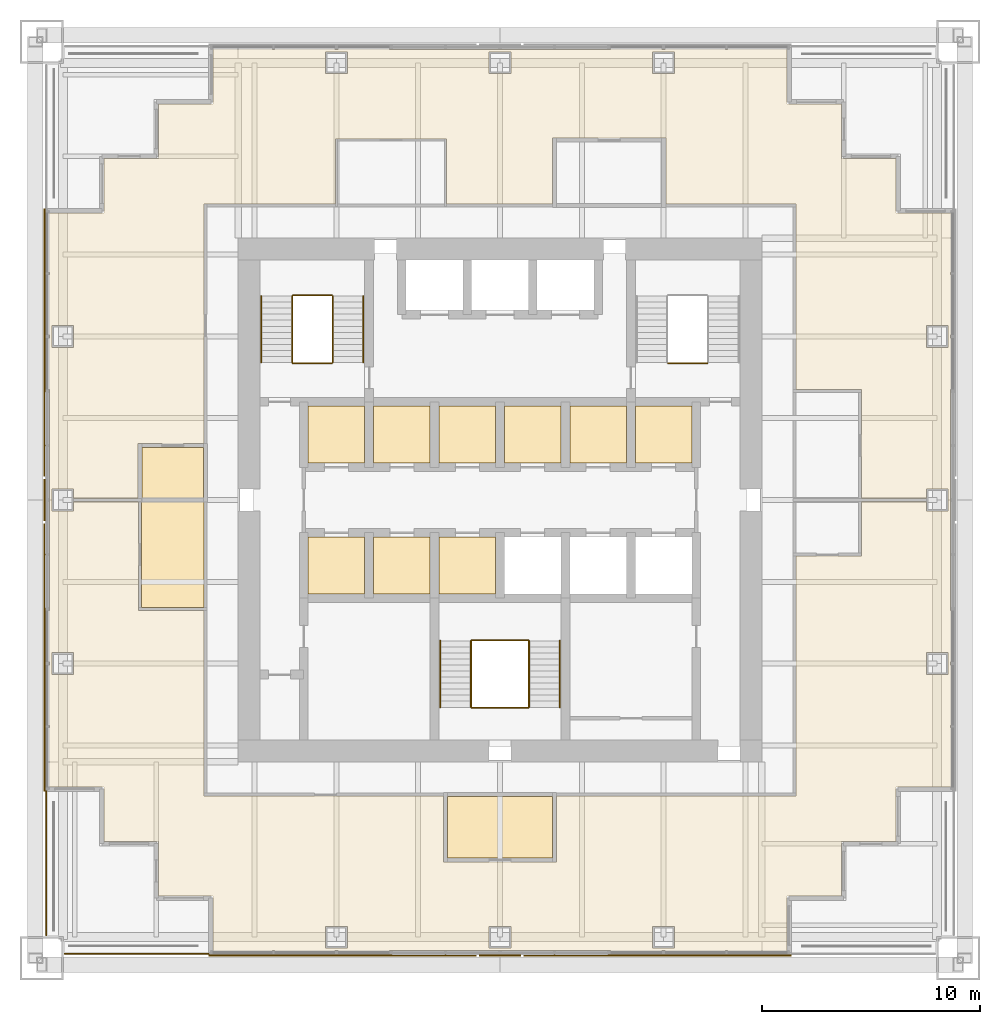
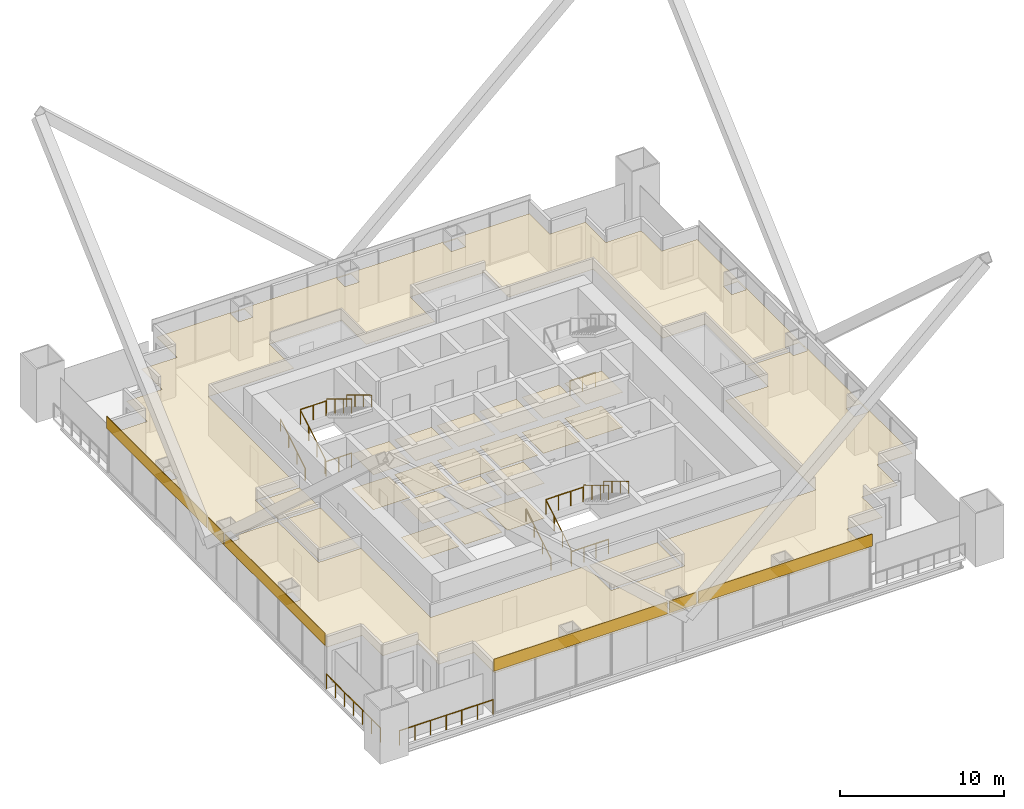
# One storey, part 18 of 19: 29 coverings, 15 railings.
"""IFC4 building model written with IfcOpenShell, lengths in metres."""

from ifc_helpers import new_model, si_unit, direction, frame, origin, origin_2d, place, context, subcontext, project, spatial, polyline, rectangle, circle, outline, extrude, material, layer, layer_set, type_object, element, save


model = new_model("IFC4")

# Units and contexts
model_context = context("Model", 3, precision=1e-05, world=origin(), true_north=direction((0.0, 1.0)))
body_context = subcontext(model_context, "Body", "Model", "MODEL_VIEW")
ifc_project = project(units=[si_unit("LENGTHUNIT", "METRE"), si_unit("AREAUNIT", "SQUARE_METRE"), si_unit("VOLUMEUNIT", "CUBIC_METRE"), si_unit("PLANEANGLEUNIT", "RADIAN"), si_unit("MASSUNIT", "GRAM", prefix="KILO")], contexts=[model_context])

# Site, building, storey
site_placement = place(None, origin())
site = spatial("IfcSite", under=ifc_project, at=site_placement, CompositionType="ELEMENT")
building_placement = place(site_placement, origin())
building = spatial("IfcBuilding", under=site, at=building_placement, Name="Tarangal Relay Tower", CompositionType="ELEMENT")
storey_placement = place(building_placement, frame((0.0, 0.0, 275.89990234375)))
storey = spatial("IfcBuildingStorey", under=building, at=storey_placement, Name="L60", CompositionType="ELEMENT", Elevation=275.89990234375)

# Coverings
ifc_material_1 = material(Name="Anti-static vinyl flooring", Category="plastic")
ifc_layer_1 = layer(ifc_material_1, 0.010009765625)
ifc_layer_set_1 = layer_set([ifc_layer_1], Name="Anti-static vinyl floor")
covering_type_1 = type_object("IfcCoveringType", Name="Anti-static vinyl floor", PredefinedType="FLOORING", material=ifc_layer_set_1)
covering_1_placement = place(storey_placement, origin())
element("IfcCovering", 1, at=covering_1_placement, inside=storey, type_object=covering_type_1, Name="Floor finish FL1 L60-D1", PredefinedType="FLOORING", context=body_context, shape_type="SweptSolid", body=[
    extrude(outline(polyline([(-8.800048828125, 1.699951171875), (-6.199951171875, 1.699951171875), (-6.199951171875, 4.300048828125), (-8.800048828125, 4.300048828125), (-8.800048828125, 1.699951171875)])), origin(), (0.0, 0.0, 1.0), 0.010009765625),
])
covering_2_placement = place(storey_placement, origin())
element("IfcCovering", 2, at=covering_2_placement, inside=storey, type_object=covering_type_1, Name="Floor finish FL1 L60-D2", PredefinedType="FLOORING", context=body_context, shape_type="SweptSolid", body=[
    extrude(outline(polyline([(-5.800048828125, 1.699951171875), (-3.199951171875, 1.699951171875), (-3.199951171875, 4.300048828125), (-5.800048828125, 4.300048828125), (-5.800048828125, 1.699951171875)])), origin(), (0.0, 0.0, 1.0), 0.010009765625),
])
covering_3_placement = place(storey_placement, origin())
element("IfcCovering", 3, at=covering_3_placement, inside=storey, type_object=covering_type_1, Name="Floor finish FL1 L60-D3", PredefinedType="FLOORING", context=body_context, shape_type="SweptSolid", body=[
    extrude(outline(polyline([(-2.800048828125, 1.699951171875), (-0.199951171875, 1.699951171875), (-0.199951171875, 4.300048828125), (-2.800048828125, 4.300048828125), (-2.800048828125, 1.699951171875)])), origin(), (0.0, 0.0, 1.0), 0.010009765625),
])
covering_4_placement = place(storey_placement, origin())
element("IfcCovering", 4, at=covering_4_placement, inside=storey, type_object=covering_type_1, Name="Floor finish FL1 L60-T1", PredefinedType="FLOORING", context=body_context, shape_type="SweptSolid", body=[
    extrude(outline(polyline([(0.199951171875, 1.699951171875), (2.800048828125, 1.699951171875), (2.800048828125, 4.300048828125), (0.199951171875, 4.300048828125), (0.199951171875, 1.699951171875)])), origin(), (0.0, 0.0, 1.0), 0.010009765625),
])
covering_5_placement = place(storey_placement, origin())
element("IfcCovering", 5, at=covering_5_placement, inside=storey, type_object=covering_type_1, Name="Floor finish FL1 L60-T2", PredefinedType="FLOORING", context=body_context, shape_type="SweptSolid", body=[
    extrude(outline(polyline([(3.199951171875, 1.699951171875), (5.800048828125, 1.699951171875), (5.800048828125, 4.300048828125), (3.199951171875, 4.300048828125), (3.199951171875, 1.699951171875)])), origin(), (0.0, 0.0, 1.0), 0.010009765625),
])
covering_6_placement = place(storey_placement, origin())
element("IfcCovering", 6, at=covering_6_placement, inside=storey, type_object=covering_type_1, Name="Floor finish FL1 L60-T3", PredefinedType="FLOORING", context=body_context, shape_type="SweptSolid", body=[
    extrude(outline(polyline([(6.199951171875, 1.699951171875), (8.800048828125, 1.699951171875), (8.800048828125, 4.300048828125), (6.199951171875, 4.300048828125), (6.199951171875, 1.699951171875)])), origin(), (0.0, 0.0, 1.0), 0.010009765625),
])
covering_7_placement = place(storey_placement, origin())
element("IfcCovering", 7, at=covering_7_placement, inside=storey, type_object=covering_type_1, Name="Floor finish FL1 L60-S1", PredefinedType="FLOORING", context=body_context, shape_type="SweptSolid", body=[
    extrude(outline(polyline([(-8.800048828125, -4.300048828125), (-6.199951171875, -4.300048828125), (-6.199951171875, -1.699951171875), (-8.800048828125, -1.699951171875), (-8.800048828125, -4.300048828125)])), origin(), (0.0, 0.0, 1.0), 0.010009765625),
])
covering_8_placement = place(storey_placement, origin())
element("IfcCovering", 8, at=covering_8_placement, inside=storey, type_object=covering_type_1, Name="Floor finish FL1 L60-S2", PredefinedType="FLOORING", context=body_context, shape_type="SweptSolid", body=[
    extrude(outline(polyline([(-5.800048828125, -4.300048828125), (-3.199951171875, -4.300048828125), (-3.199951171875, -1.699951171875), (-5.800048828125, -1.699951171875), (-5.800048828125, -4.300048828125)])), origin(), (0.0, 0.0, 1.0), 0.010009765625),
])
covering_9_placement = place(storey_placement, origin())
element("IfcCovering", 9, at=covering_9_placement, inside=storey, type_object=covering_type_1, Name="Floor finish FL1 L60-S3", PredefinedType="FLOORING", context=body_context, shape_type="SweptSolid", body=[
    extrude(outline(polyline([(-2.800048828125, -4.300048828125), (-0.199951171875, -4.300048828125), (-0.199951171875, -1.699951171875), (-2.800048828125, -1.699951171875), (-2.800048828125, -4.300048828125)])), origin(), (0.0, 0.0, 1.0), 0.010009765625),
])
ifc_material_2 = material(Name="Black anodised aluminium cladding", Category="aluminium")
ifc_layer_2 = layer(ifc_material_2, 0.050048828125)
ifc_layer_set_2 = layer_set([ifc_layer_2], Name="Black metal spandrel band")
covering_type_2 = type_object("IfcCoveringType", Name="Black metal spandrel band", PredefinedType="CLADDING", material=ifc_layer_set_2)
covering_10_placement = place(storey_placement, frame((7.22119140625, -20.875, 3.250244140625), z_axis=(0.0, 0.0, 1.0), x_axis=(-1.0, 0.0, 0.0)))
element("IfcCovering", 10, at=covering_10_placement, inside=storey, type_object=covering_type_2, Name="Spandrel band SB1 S L60", PredefinedType="CLADDING", context=body_context, shape_type="SweptSolid", body=[
    extrude(rectangle(XDim=12.257568359375, YDim=0.050048828125, at=origin_2d()), origin(), (0.0, 0.0, 1.0), 0.89990234375),
])
covering_11_placement = place(storey_placement, frame((0.0, -20.875, 3.250244140625), z_axis=(0.0, 0.0, 1.0), x_axis=(-1.0, 0.0, 0.0)))
element("IfcCovering", 11, at=covering_11_placement, inside=storey, type_object=covering_type_2, Name="Spandrel band SB1 S L60", PredefinedType="CLADDING", context=body_context, shape_type="SweptSolid", body=[
    extrude(rectangle(XDim=1.90478515625, YDim=0.050048828125, at=origin_2d()), origin(), (0.0, 0.0, 1.0), 0.89990234375),
])
for number, where, z_axis, x_axis, name in (
    (12, (-7.22119140625, -20.875, 3.250244140625), (0.0, 0.0, 1.0), (-1.0, 0.0, 0.0), "Spandrel band SB1 S L60"),
    (13, (-20.875, -7.22119140625, 3.250244140625), (0.0, 0.0, 1.0), (0.0, 1.0, 0.0), "Spandrel band SB1 W L60"),
):
    element("IfcCovering", number, at=place(storey_placement, frame(where, z_axis=z_axis, x_axis=x_axis)), inside=storey, type_object=covering_type_2, Name=name, PredefinedType="CLADDING", context=body_context, shape_type="SweptSolid", body=[
        extrude(rectangle(XDim=12.257568359375, YDim=0.050048828125, at=origin_2d()), origin(), (0.0, 0.0, 1.0), 0.89990234375),
    ])
covering_12_placement = place(storey_placement, frame((-20.875, 0.0, 3.250244140625), z_axis=(0.0, 0.0, 1.0), x_axis=(0.0, 1.0, 0.0)))
element("IfcCovering", 14, at=covering_12_placement, inside=storey, type_object=covering_type_2, Name="Spandrel band SB1 W L60", PredefinedType="CLADDING", context=body_context, shape_type="SweptSolid", body=[
    extrude(rectangle(XDim=1.90478515625, YDim=0.050048828125, at=origin_2d()), origin(), (0.0, 0.0, 1.0), 0.89990234375),
])
covering_13_placement = place(storey_placement, frame((-20.875, 7.22119140625, 3.250244140625), z_axis=(0.0, 0.0, 1.0), x_axis=(0.0, 1.0, 0.0)))
element("IfcCovering", 15, at=covering_13_placement, inside=storey, type_object=covering_type_2, Name="Spandrel band SB1 W L60", PredefinedType="CLADDING", context=body_context, shape_type="SweptSolid", body=[
    extrude(rectangle(XDim=12.257568359375, YDim=0.050048828125, at=origin_2d()), origin(), (0.0, 0.0, 1.0), 0.89990234375),
])

# Railings
ifc_material_3 = material(Name="Steel guard, black finish", Category="steel")
railing_type_1 = type_object("IfcRailingType", Name="Stair guard 1100", PredefinedType="GUARDRAIL", material=ifc_material_3)
railing_1_placement = place(storey_placement, frame((-9.530029296875, 6.300048828125, 0.166748046875)))
element("IfcRailing", 16, at=railing_1_placement, inside=storey, type_object=railing_type_1, Name="Stair ST-A guard GR1 L60 flight 1", PredefinedType="GUARDRAIL", context=body_context, shape_type="SweptSolid", body=[
    extrude(circle(Radius=0.02392578125, at=origin_2d()), frame((0.0, 0.0, 1.076171875), z_axis=(0.0, 0.85685617095, 0.515555527858), x_axis=(-1.0, 0.0, 0.0)), (0.0, 0.0, 1.0), 3.555908203125),
    extrude(circle(Radius=0.02099609375, at=origin_2d()), origin(), (0.0, 0.0, 1.0), 1.052001953125),
    extrude(circle(Radius=0.02099609375, at=origin_2d()), frame((0.0, 1.015625, 0.611083984375)), (0.0, 0.0, 1.0), 1.052001953125),
    extrude(circle(Radius=0.02099609375, at=origin_2d()), frame((0.0, 2.03125, 1.22216796875)), (0.0, 0.0, 1.0), 1.052001953125),
    extrude(circle(Radius=0.02099609375, at=origin_2d()), frame((0.0, 3.046875, 1.833251953125)), (0.0, 0.0, 1.0), 1.052001953125),
])
railing_2_placement = place(storey_placement, frame((-7.669921875, 9.346923828125, 2.166748046875)))
element("IfcRailing", 17, at=railing_2_placement, inside=storey, type_object=railing_type_1, Name="Stair ST-A guard GR1 L60 flight 2", PredefinedType="GUARDRAIL", context=body_context, shape_type="SweptSolid", body=[
    extrude(circle(Radius=0.02392578125, at=origin_2d()), frame((0.0, 0.0, 1.076171875), z_axis=(0.0, -0.85685617095, 0.515555527858), x_axis=(1.0, 0.0, 0.0)), (0.0, 0.0, 1.0), 3.555908203125),
    extrude(circle(Radius=0.02099609375, at=origin_2d()), origin(), (0.0, 0.0, 1.0), 1.052001953125),
    extrude(circle(Radius=0.02099609375, at=origin_2d()), frame((0.0, -1.015625, 0.611083984375)), (0.0, 0.0, 1.0), 1.052001953125),
    extrude(circle(Radius=0.02099609375, at=origin_2d()), frame((0.0, -2.03125, 1.22216796875)), (0.0, 0.0, 1.0), 1.052001953125),
    extrude(circle(Radius=0.02099609375, at=origin_2d()), frame((0.0, -3.046875, 1.833251953125)), (0.0, 0.0, 1.0), 1.052001953125),
])
for number, where, name in (
    (18, (-9.5, 6.27001953125, 0.0), "Stair ST-A landing guard GR1 L60"),
    (19, (-9.5, 9.376953125, 2.0), "Stair ST-A landing guard GR1 L60"),
    (20, (7.699951171875, 6.27001953125, 0.0), "Stair ST-B landing guard GR1 L60"),
):
    element("IfcRailing", number, at=place(storey_placement, frame(where)), inside=storey, type_object=railing_type_1, Name=name, PredefinedType="GUARDRAIL", context=body_context, shape_type="SweptSolid", body=[
        extrude(circle(Radius=0.02392578125, at=origin_2d()), frame((0.0, 0.0, 1.076171875), z_axis=(1.0, 0.0, 0.0), x_axis=(0.0, 1.0, 0.0)), (0.0, 0.0, 1.0), 1.800048828125),
        extrude(circle(Radius=0.02099609375, at=origin_2d()), origin(), (0.0, 0.0, 1.0), 1.052001953125),
        extrude(circle(Radius=0.02099609375, at=origin_2d()), frame((0.89990234375, 0.0, 0.0)), (0.0, 0.0, 1.0), 1.052001953125),
        extrude(circle(Radius=0.02099609375, at=origin_2d()), frame((1.800048828125, 0.0, 0.0)), (0.0, 0.0, 1.0), 1.052001953125),
    ])
railing_3_placement = place(storey_placement, frame((-1.330078125, -9.5, 0.166748046875)))
element("IfcRailing", 21, at=railing_3_placement, inside=storey, type_object=railing_type_1, Name="Stair ST-C guard GR1 L60 flight 1", PredefinedType="GUARDRAIL", context=body_context, shape_type="SweptSolid", body=[
    extrude(circle(Radius=0.02392578125, at=origin_2d()), frame((0.0, 0.0, 1.076171875), z_axis=(0.0, 0.856874418557, 0.515525199018), x_axis=(-1.0, 0.0, 0.0)), (0.0, 0.0, 1.0), 3.55615234375),
    extrude(circle(Radius=0.02099609375, at=origin_2d()), origin(), (0.0, 0.0, 1.0), 1.052001953125),
    extrude(circle(Radius=0.02099609375, at=origin_2d()), frame((0.0, 1.015625, 0.611083984375)), (0.0, 0.0, 1.0), 1.052001953125),
    extrude(circle(Radius=0.02099609375, at=origin_2d()), frame((0.0, 2.031494140625, 1.22216796875)), (0.0, 0.0, 1.0), 1.052001953125),
    extrude(circle(Radius=0.02099609375, at=origin_2d()), frame((0.0, 3.047119140625, 1.833251953125)), (0.0, 0.0, 1.0), 1.052001953125),
])
railing_4_placement = place(storey_placement, frame((1.330078125, -6.452880859375, 2.166748046875)))
element("IfcRailing", 22, at=railing_4_placement, inside=storey, type_object=railing_type_1, Name="Stair ST-C guard GR1 L60 flight 2", PredefinedType="GUARDRAIL", context=body_context, shape_type="SweptSolid", body=[
    extrude(circle(Radius=0.02392578125, at=origin_2d()), frame((0.0, 0.0, 1.076171875), z_axis=(0.0, -0.856874418557, 0.515525199018), x_axis=(1.0, 0.0, 0.0)), (0.0, 0.0, 1.0), 3.55615234375),
    extrude(circle(Radius=0.02099609375, at=origin_2d()), origin(), (0.0, 0.0, 1.0), 1.052001953125),
    extrude(circle(Radius=0.02099609375, at=origin_2d()), frame((0.0, -1.015625, 0.611083984375)), (0.0, 0.0, 1.0), 1.052001953125),
    extrude(circle(Radius=0.02099609375, at=origin_2d()), frame((0.0, -2.031494140625, 1.22216796875)), (0.0, 0.0, 1.0), 1.052001953125),
    extrude(circle(Radius=0.02099609375, at=origin_2d()), frame((0.0, -3.047119140625, 1.833251953125)), (0.0, 0.0, 1.0), 1.052001953125),
])
for number, where, name in (
    (23, (-1.300048828125, -9.530029296875, 0.0), "Stair ST-C landing guard GR1 L60"),
    (24, (-1.300048828125, -6.423095703125, 2.0), "Stair ST-C landing guard GR1 L60"),
):
    element("IfcRailing", number, at=place(storey_placement, frame(where)), inside=storey, type_object=railing_type_1, Name=name, PredefinedType="GUARDRAIL", context=body_context, shape_type="SweptSolid", body=[
        extrude(circle(Radius=0.02392578125, at=origin_2d()), frame((0.0, 0.0, 1.076171875), z_axis=(1.0, 0.0, 0.0), x_axis=(0.0, 1.0, 0.0)), (0.0, 0.0, 1.0), 2.60009765625),
        extrude(circle(Radius=0.02099609375, at=origin_2d()), origin(), (0.0, 0.0, 1.0), 1.052001953125),
        extrude(circle(Radius=0.02099609375, at=origin_2d()), frame((0.86669921875, 0.0, 0.0)), (0.0, 0.0, 1.0), 1.052001953125),
        extrude(circle(Radius=0.02099609375, at=origin_2d()), frame((1.7333984375, 0.0, 0.0)), (0.0, 0.0, 1.0), 1.052001953125),
        extrude(circle(Radius=0.02099609375, at=origin_2d()), frame((2.60009765625, 0.0, 0.0)), (0.0, 0.0, 1.0), 1.052001953125),
    ])
ifc_material_4 = material(Name="Steel handrail, black finish", Category="steel")
railing_type_2 = type_object("IfcRailingType", Name="Stair handrail 900", PredefinedType="HANDRAIL", material=ifc_material_4)
railing_5_placement = place(storey_placement, frame((-10.93994140625, 6.300048828125, 0.166748046875)))
element("IfcRailing", 25, at=railing_5_placement, inside=storey, type_object=railing_type_2, Name="Stair ST-A handrail HR1 L60 flight 1", PredefinedType="HANDRAIL", context=body_context, shape_type="SweptSolid", body=[
    extrude(circle(Radius=0.02392578125, at=origin_2d()), frame((0.0, 0.0, 0.8759765625), z_axis=(0.0, 0.85685617095, 0.515555527858), x_axis=(-1.0, 0.0, 0.0)), (0.0, 0.0, 1.0), 3.555908203125),
    extrude(circle(Radius=0.02099609375, at=origin_2d()), origin(), (0.0, 0.0, 1.0), 0.851806640625),
    extrude(circle(Radius=0.02099609375, at=origin_2d()), frame((0.0, 1.015625, 0.611083984375)), (0.0, 0.0, 1.0), 0.851806640625),
    extrude(circle(Radius=0.02099609375, at=origin_2d()), frame((0.0, 2.03125, 1.22216796875)), (0.0, 0.0, 1.0), 0.851806640625),
    extrude(circle(Radius=0.02099609375, at=origin_2d()), frame((0.0, 3.046875, 1.833251953125)), (0.0, 0.0, 1.0), 0.851806640625),
])
railing_6_placement = place(storey_placement, frame((-6.260009765625, 9.346923828125, 2.166748046875)))
element("IfcRailing", 26, at=railing_6_placement, inside=storey, type_object=railing_type_2, Name="Stair ST-A handrail HR1 L60 flight 2", PredefinedType="HANDRAIL", context=body_context, shape_type="SweptSolid", body=[
    extrude(circle(Radius=0.02392578125, at=origin_2d()), frame((0.0, 0.0, 0.8759765625), z_axis=(0.0, -0.85685617095, 0.515555527858), x_axis=(1.0, 0.0, 0.0)), (0.0, 0.0, 1.0), 3.555908203125),
    extrude(circle(Radius=0.02099609375, at=origin_2d()), origin(), (0.0, 0.0, 1.0), 0.851806640625),
    extrude(circle(Radius=0.02099609375, at=origin_2d()), frame((0.0, -1.015625, 0.611083984375)), (0.0, 0.0, 1.0), 0.851806640625),
    extrude(circle(Radius=0.02099609375, at=origin_2d()), frame((0.0, -2.03125, 1.22216796875)), (0.0, 0.0, 1.0), 0.851806640625),
    extrude(circle(Radius=0.02099609375, at=origin_2d()), frame((0.0, -3.046875, 1.833251953125)), (0.0, 0.0, 1.0), 0.851806640625),
])
railing_7_placement = place(storey_placement, frame((-2.739990234375, -9.5, 0.166748046875)))
element("IfcRailing", 27, at=railing_7_placement, inside=storey, type_object=railing_type_2, Name="Stair ST-C handrail HR1 L60 flight 1", PredefinedType="HANDRAIL", context=body_context, shape_type="SweptSolid", body=[
    extrude(circle(Radius=0.02392578125, at=origin_2d()), frame((0.0, 0.0, 0.8759765625), z_axis=(0.0, 0.856874418557, 0.515525199018), x_axis=(-1.0, 0.0, 0.0)), (0.0, 0.0, 1.0), 3.55615234375),
    extrude(circle(Radius=0.02099609375, at=origin_2d()), origin(), (0.0, 0.0, 1.0), 0.851806640625),
    extrude(circle(Radius=0.02099609375, at=origin_2d()), frame((0.0, 1.015625, 0.611083984375)), (0.0, 0.0, 1.0), 0.851806640625),
    extrude(circle(Radius=0.02099609375, at=origin_2d()), frame((0.0, 2.031494140625, 1.22216796875)), (0.0, 0.0, 1.0), 0.851806640625),
    extrude(circle(Radius=0.02099609375, at=origin_2d()), frame((0.0, 3.047119140625, 1.833251953125)), (0.0, 0.0, 1.0), 0.851806640625),
])
railing_8_placement = place(storey_placement, frame((2.739990234375, -6.452880859375, 2.166748046875)))
element("IfcRailing", 28, at=railing_8_placement, inside=storey, type_object=railing_type_2, Name="Stair ST-C handrail HR1 L60 flight 2", PredefinedType="HANDRAIL", context=body_context, shape_type="SweptSolid", body=[
    extrude(circle(Radius=0.02392578125, at=origin_2d()), frame((0.0, 0.0, 0.8759765625), z_axis=(0.0, -0.856874418557, 0.515525199018), x_axis=(1.0, 0.0, 0.0)), (0.0, 0.0, 1.0), 3.55615234375),
    extrude(circle(Radius=0.02099609375, at=origin_2d()), origin(), (0.0, 0.0, 1.0), 0.851806640625),
    extrude(circle(Radius=0.02099609375, at=origin_2d()), frame((0.0, -1.015625, 0.611083984375)), (0.0, 0.0, 1.0), 0.851806640625),
    extrude(circle(Radius=0.02099609375, at=origin_2d()), frame((0.0, -2.031494140625, 1.22216796875)), (0.0, 0.0, 1.0), 0.851806640625),
    extrude(circle(Radius=0.02099609375, at=origin_2d()), frame((0.0, -3.047119140625, 1.833251953125)), (0.0, 0.0, 1.0), 0.851806640625),
])

# Coverings
ifc_material_5 = material(Name="Mineral fibre ceiling tiles", Category="gypsum")
ifc_layer_3 = layer(ifc_material_5, 0.02001953125)
ifc_layer_set_3 = layer_set([ifc_layer_3], Name="Suspended ceiling")
covering_type_3 = type_object("IfcCoveringType", Name="Suspended ceiling", PredefinedType="CEILING", material=ifc_layer_set_3)
covering_14_placement = place(storey_placement, frame((0.0, 0.0, 2.60009765625)))
element("IfcCovering", 29, at=covering_14_placement, inside=storey, type_object=covering_type_3, Name="Suspended ceiling CL1 L60-D1", PredefinedType="CEILING", context=body_context, shape_type="SweptSolid", body=[
    extrude(outline(polyline([(-8.800048828125, 1.699951171875), (-6.199951171875, 1.699951171875), (-6.199951171875, 4.300048828125), (-8.800048828125, 4.300048828125), (-8.800048828125, 1.699951171875)])), origin(), (0.0, 0.0, 1.0), 0.02001953125),
])
covering_15_placement = place(storey_placement, frame((0.0, 0.0, 2.60009765625)))
element("IfcCovering", 30, at=covering_15_placement, inside=storey, type_object=covering_type_3, Name="Suspended ceiling CL1 L60-D2", PredefinedType="CEILING", context=body_context, shape_type="SweptSolid", body=[
    extrude(outline(polyline([(-5.800048828125, 1.699951171875), (-3.199951171875, 1.699951171875), (-3.199951171875, 4.300048828125), (-5.800048828125, 4.300048828125), (-5.800048828125, 1.699951171875)])), origin(), (0.0, 0.0, 1.0), 0.02001953125),
])
covering_16_placement = place(storey_placement, frame((0.0, 0.0, 2.60009765625)))
element("IfcCovering", 31, at=covering_16_placement, inside=storey, type_object=covering_type_3, Name="Suspended ceiling CL1 L60-D3", PredefinedType="CEILING", context=body_context, shape_type="SweptSolid", body=[
    extrude(outline(polyline([(-2.800048828125, 1.699951171875), (-0.199951171875, 1.699951171875), (-0.199951171875, 4.300048828125), (-2.800048828125, 4.300048828125), (-2.800048828125, 1.699951171875)])), origin(), (0.0, 0.0, 1.0), 0.02001953125),
])
covering_17_placement = place(storey_placement, frame((0.0, 0.0, 2.60009765625)))
element("IfcCovering", 32, at=covering_17_placement, inside=storey, type_object=covering_type_3, Name="Suspended ceiling CL1 L60-T1", PredefinedType="CEILING", context=body_context, shape_type="SweptSolid", body=[
    extrude(outline(polyline([(0.199951171875, 1.699951171875), (2.800048828125, 1.699951171875), (2.800048828125, 4.300048828125), (0.199951171875, 4.300048828125), (0.199951171875, 1.699951171875)])), origin(), (0.0, 0.0, 1.0), 0.02001953125),
])
covering_18_placement = place(storey_placement, frame((0.0, 0.0, 2.60009765625)))
element("IfcCovering", 33, at=covering_18_placement, inside=storey, type_object=covering_type_3, Name="Suspended ceiling CL1 L60-T2", PredefinedType="CEILING", context=body_context, shape_type="SweptSolid", body=[
    extrude(outline(polyline([(3.199951171875, 1.699951171875), (5.800048828125, 1.699951171875), (5.800048828125, 4.300048828125), (3.199951171875, 4.300048828125), (3.199951171875, 1.699951171875)])), origin(), (0.0, 0.0, 1.0), 0.02001953125),
])
covering_19_placement = place(storey_placement, frame((0.0, 0.0, 2.60009765625)))
element("IfcCovering", 34, at=covering_19_placement, inside=storey, type_object=covering_type_3, Name="Suspended ceiling CL1 L60-T3", PredefinedType="CEILING", context=body_context, shape_type="SweptSolid", body=[
    extrude(outline(polyline([(6.199951171875, 1.699951171875), (8.800048828125, 1.699951171875), (8.800048828125, 4.300048828125), (6.199951171875, 4.300048828125), (6.199951171875, 1.699951171875)])), origin(), (0.0, 0.0, 1.0), 0.02001953125),
])
covering_20_placement = place(storey_placement, frame((0.0, 0.0, 2.60009765625)))
element("IfcCovering", 35, at=covering_20_placement, inside=storey, type_object=covering_type_3, Name="Suspended ceiling CL1 L60-S1", PredefinedType="CEILING", context=body_context, shape_type="SweptSolid", body=[
    extrude(outline(polyline([(-8.800048828125, -4.300048828125), (-6.199951171875, -4.300048828125), (-6.199951171875, -1.699951171875), (-8.800048828125, -1.699951171875), (-8.800048828125, -4.300048828125)])), origin(), (0.0, 0.0, 1.0), 0.02001953125),
])
covering_21_placement = place(storey_placement, frame((0.0, 0.0, 2.60009765625)))
element("IfcCovering", 36, at=covering_21_placement, inside=storey, type_object=covering_type_3, Name="Suspended ceiling CL1 L60-S2", PredefinedType="CEILING", context=body_context, shape_type="SweptSolid", body=[
    extrude(outline(polyline([(-5.800048828125, -4.300048828125), (-3.199951171875, -4.300048828125), (-3.199951171875, -1.699951171875), (-5.800048828125, -1.699951171875), (-5.800048828125, -4.300048828125)])), origin(), (0.0, 0.0, 1.0), 0.02001953125),
])
covering_22_placement = place(storey_placement, frame((0.0, 0.0, 2.60009765625)))
element("IfcCovering", 37, at=covering_22_placement, inside=storey, type_object=covering_type_3, Name="Suspended ceiling CL1 L60-S3", PredefinedType="CEILING", context=body_context, shape_type="SweptSolid", body=[
    extrude(outline(polyline([(-2.800048828125, -4.300048828125), (-0.199951171875, -4.300048828125), (-0.199951171875, -1.699951171875), (-2.800048828125, -1.699951171875), (-2.800048828125, -4.300048828125)])), origin(), (0.0, 0.0, 1.0), 0.02001953125),
])
covering_23_placement = place(storey_placement, frame((0.0, 0.0, 2.900146484375)))
element("IfcCovering", 38, at=covering_23_placement, inside=storey, type_object=covering_type_3, Name="Suspended ceiling CL1 L60-06", PredefinedType="CEILING", context=body_context, shape_type="SweptSolid", body=[
    extrude(outline(polyline([(-2.39990234375, -16.39990234375), (2.39990234375, -16.39990234375), (2.39990234375, -13.60009765625), (-2.39990234375, -13.60009765625), (-2.39990234375, -16.39990234375)])), origin(), (0.0, 0.0, 1.0), 0.02001953125),
])
covering_24_placement = place(storey_placement, frame((0.0, 0.0, 2.900146484375)))
element("IfcCovering", 39, at=covering_24_placement, inside=storey, type_object=covering_type_3, Name="Suspended ceiling CL1 L60-07", PredefinedType="CEILING", context=body_context, shape_type="SweptSolid", body=[
    extrude(outline(polyline([(-16.425048828125, -4.925048828125), (-13.574951171875, -4.925048828125), (-13.574951171875, -0.10009765625), (-16.425048828125, -0.10009765625), (-16.425048828125, -4.925048828125)])), origin(), (0.0, 0.0, 1.0), 0.02001953125),
])
covering_25_placement = place(storey_placement, frame((0.0, 0.0, 2.900146484375)))
element("IfcCovering", 40, at=covering_25_placement, inside=storey, type_object=covering_type_3, Name="Suspended ceiling CL1 L60-08", PredefinedType="CEILING", context=body_context, shape_type="SweptSolid", body=[
    extrude(outline(polyline([(-13.60009765625, 2.39990234375), (-16.39990234375, 2.39990234375), (-16.39990234375, 0.10009765625), (-13.60009765625, 0.10009765625), (-13.60009765625, 2.39990234375)])), origin(), (0.0, 0.0, 1.0), 0.02001953125),
])
covering_26_placement = place(storey_placement, frame((0.0, 0.0, 2.900146484375)))
element("IfcCovering", 41, at=covering_26_placement, inside=storey, type_object=covering_type_3, Name="Suspended ceiling CL1 L60-09", PredefinedType="CEILING", context=body_context, shape_type="SweptSolid", body=[
    extrude(outline(polyline([(-20.64990234375, 0.0), (-20.5400390625, 0.0), (-20.5400390625, 0.5), (-19.5400390625, 0.5), (-19.5400390625, 0.074951171875), (-16.60009765625, 0.074951171875), (-16.60009765625, 2.60009765625), (-13.574951171875, 2.60009765625), (-13.574951171875, 13.574951171875), (-7.550048828125, 13.574951171875), (-7.550048828125, 16.550048828125), (-2.449951171875, 16.550048828125), (-2.449951171875, 13.574951171875), (2.39990234375, 13.574951171875), (2.39990234375, 16.60009765625), (7.60009765625, 16.60009765625), (7.60009765625, 13.574951171875), (13.574951171875, 13.574951171875), (13.574951171875, 5.074951171875), (16.574951171875, 5.074951171875), (16.574951171875, 0.074951171875), (19.5400390625, 0.074951171875), (19.5400390625, 0.5), (20.5400390625, 0.5), (20.5400390625, 0.0), (20.64990234375, 0.0), (20.64990234375, 13.14990234375), (18.14990234375, 13.14990234375), (18.14990234375, 15.64990234375), (15.64990234375, 15.64990234375), (15.64990234375, 18.14990234375), (13.14990234375, 18.14990234375), (13.14990234375, 20.64990234375), (-13.14990234375, 20.64990234375), (-13.14990234375, 18.14990234375), (-15.64990234375, 18.14990234375), (-15.64990234375, 15.64990234375), (-18.14990234375, 15.64990234375), (-18.14990234375, 13.14990234375), (-20.64990234375, 13.14990234375), (-20.64990234375, 0.0)]), holes=[polyline([(-20.5400390625, 8.0), (-20.5400390625, 7.0), (-19.5400390625, 7.0), (-19.5400390625, 8.0), (-20.5400390625, 8.0)]), polyline([(19.5400390625, 8.0), (19.5400390625, 7.0), (20.5400390625, 7.0), (20.5400390625, 8.0), (19.5400390625, 8.0)]), polyline([(-8.0, 20.5400390625), (-8.0, 19.5400390625), (-7.0, 19.5400390625), (-7.0, 20.5400390625), (-8.0, 20.5400390625)]), polyline([(-0.5, 20.5400390625), (-0.5, 19.5400390625), (0.5, 19.5400390625), (0.5, 20.5400390625), (-0.5, 20.5400390625)]), polyline([(7.0, 20.5400390625), (7.0, 19.5400390625), (8.0, 19.5400390625), (8.0, 20.5400390625), (7.0, 20.5400390625)])]), origin(), (0.0, 0.0, 1.0), 0.02001953125),
])
covering_27_placement = place(storey_placement, frame((0.0, 0.0, 2.900146484375)))
element("IfcCovering", 42, at=covering_27_placement, inside=storey, type_object=covering_type_3, Name="Suspended ceiling CL1 L60-10", PredefinedType="CEILING", context=body_context, shape_type="SweptSolid", body=[
    extrude(outline(polyline([(20.64990234375, 0.0), (20.5400390625, 0.0), (20.5400390625, -0.5), (19.5400390625, -0.5), (19.5400390625, -0.074951171875), (16.574951171875, -0.074951171875), (16.574951171875, -2.574951171875), (13.574951171875, -2.574951171875), (13.574951171875, -13.574951171875), (2.60009765625, -13.574951171875), (2.60009765625, -16.60009765625), (-2.60009765625, -16.60009765625), (-2.60009765625, -13.574951171875), (-13.574951171875, -13.574951171875), (-13.574951171875, -5.074951171875), (-16.574951171875, -5.074951171875), (-16.574951171875, -0.10009765625), (-16.60009765625, -0.10009765625), (-16.60009765625, -0.074951171875), (-19.5400390625, -0.074951171875), (-19.5400390625, -0.5), (-20.5400390625, -0.5), (-20.5400390625, 0.0), (-20.64990234375, 0.0), (-20.64990234375, -13.14990234375), (-18.14990234375, -13.14990234375), (-18.14990234375, -15.64990234375), (-15.64990234375, -15.64990234375), (-15.64990234375, -18.14990234375), (-13.14990234375, -18.14990234375), (-13.14990234375, -20.64990234375), (13.14990234375, -20.64990234375), (13.14990234375, -18.14990234375), (15.64990234375, -18.14990234375), (15.64990234375, -15.64990234375), (18.14990234375, -15.64990234375), (18.14990234375, -13.14990234375), (20.64990234375, -13.14990234375), (20.64990234375, 0.0)]), holes=[polyline([(-8.0, -20.5400390625), (-7.0, -20.5400390625), (-7.0, -19.5400390625), (-8.0, -19.5400390625), (-8.0, -20.5400390625)]), polyline([(-0.5, -19.5400390625), (-0.5, -20.5400390625), (0.5, -20.5400390625), (0.5, -19.5400390625), (-0.5, -19.5400390625)]), polyline([(7.0, -19.5400390625), (7.0, -20.5400390625), (8.0, -20.5400390625), (8.0, -19.5400390625), (7.0, -19.5400390625)]), polyline([(-20.5400390625, -7.0), (-20.5400390625, -8.0), (-19.5400390625, -8.0), (-19.5400390625, -7.0), (-20.5400390625, -7.0)]), polyline([(19.5400390625, -7.0), (19.5400390625, -8.0), (20.5400390625, -8.0), (20.5400390625, -7.0), (19.5400390625, -7.0)])]), origin(), (0.0, 0.0, 1.0), 0.02001953125),
])

# Railings
ifc_material_6 = material(Name="Black steel guard with glass infill", Category="steel")
railing_type_3 = type_object("IfcRailingType", Name="Terrace guard 1100", PredefinedType="GUARDRAIL", material=ifc_material_6)
railing_9_placement = place(storey_placement, frame((-13.35009765625, -20.800048828125, 0.0)))
element("IfcRailing", 43, at=railing_9_placement, inside=storey, type_object=railing_type_3, Name="Terrace guard GR2 SW L60", PredefinedType="GUARDRAIL", context=body_context, shape_type="SweptSolid", body=[
    extrude(circle(Radius=0.02392578125, at=origin_2d()), frame((0.0, 0.0, 1.076171875), z_axis=(-1.0, 0.0, 0.0), x_axis=(0.0, -1.0, 0.0)), (0.0, 0.0, 1.0), 6.599853515625),
    extrude(circle(Radius=0.02099609375, at=origin_2d()), origin(), (0.0, 0.0, 1.0), 1.052001953125),
    extrude(circle(Radius=0.02099609375, at=origin_2d()), frame((-1.10009765625, 0.0, 0.0)), (0.0, 0.0, 1.0), 1.052001953125),
    extrude(circle(Radius=0.02099609375, at=origin_2d()), frame((-2.199951171875, 0.0, 0.0)), (0.0, 0.0, 1.0), 1.052001953125),
    extrude(circle(Radius=0.02099609375, at=origin_2d()), frame((-3.2998046875, 0.0, 0.0)), (0.0, 0.0, 1.0), 1.052001953125),
    extrude(circle(Radius=0.02099609375, at=origin_2d()), frame((-4.39990234375, 0.0, 0.0)), (0.0, 0.0, 1.0), 1.052001953125),
    extrude(circle(Radius=0.02099609375, at=origin_2d()), frame((-5.5, 0.0, 0.0)), (0.0, 0.0, 1.0), 1.052001953125),
    extrude(circle(Radius=0.02099609375, at=origin_2d()), frame((-6.599853515625, 0.0, 0.0)), (0.0, 0.0, 1.0), 1.052001953125),
])
railing_10_placement = place(storey_placement, frame((-20.800048828125, -19.949951171875, 0.0)))
element("IfcRailing", 44, at=railing_10_placement, inside=storey, type_object=railing_type_3, Name="Terrace guard GR2 SW L60", PredefinedType="GUARDRAIL", context=body_context, shape_type="SweptSolid", body=[
    extrude(circle(Radius=0.02392578125, at=origin_2d()), frame((0.0, 0.0, 1.076171875), z_axis=(0.0, 1.0, 0.0), x_axis=(-1.0, 0.0, 0.0)), (0.0, 0.0, 1.0), 6.599853515625),
    extrude(circle(Radius=0.02099609375, at=origin_2d()), origin(), (0.0, 0.0, 1.0), 1.052001953125),
    extrude(circle(Radius=0.02099609375, at=origin_2d()), frame((0.0, 1.10009765625, 0.0)), (0.0, 0.0, 1.0), 1.052001953125),
    extrude(circle(Radius=0.02099609375, at=origin_2d()), frame((0.0, 2.199951171875, 0.0)), (0.0, 0.0, 1.0), 1.052001953125),
    extrude(circle(Radius=0.02099609375, at=origin_2d()), frame((0.0, 3.2998046875, 0.0)), (0.0, 0.0, 1.0), 1.052001953125),
    extrude(circle(Radius=0.02099609375, at=origin_2d()), frame((0.0, 4.39990234375, 0.0)), (0.0, 0.0, 1.0), 1.052001953125),
    extrude(circle(Radius=0.02099609375, at=origin_2d()), frame((0.0, 5.5, 0.0)), (0.0, 0.0, 1.0), 1.052001953125),
    extrude(circle(Radius=0.02099609375, at=origin_2d()), frame((0.0, 6.599853515625, 0.0)), (0.0, 0.0, 1.0), 1.052001953125),
])

save(model, "model.ifc")
